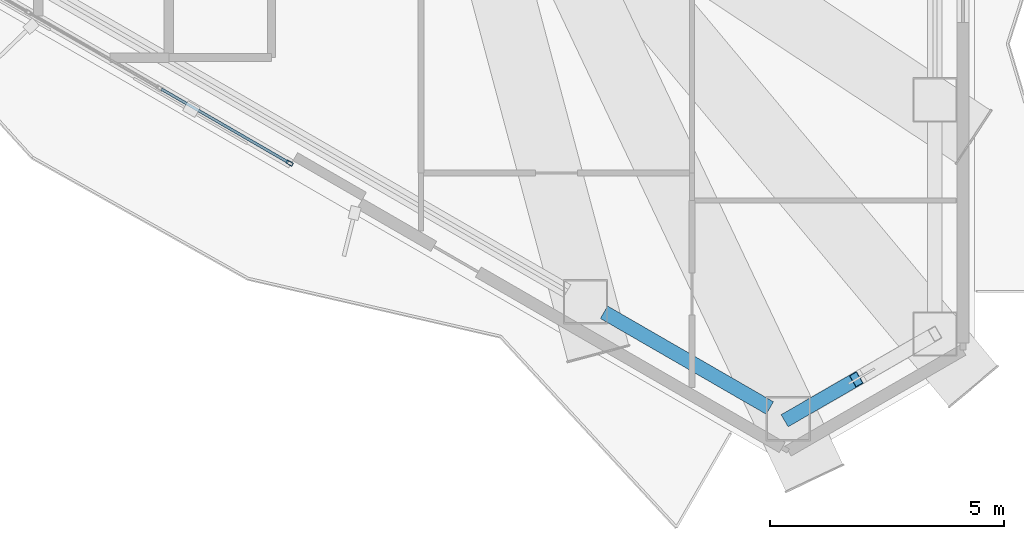
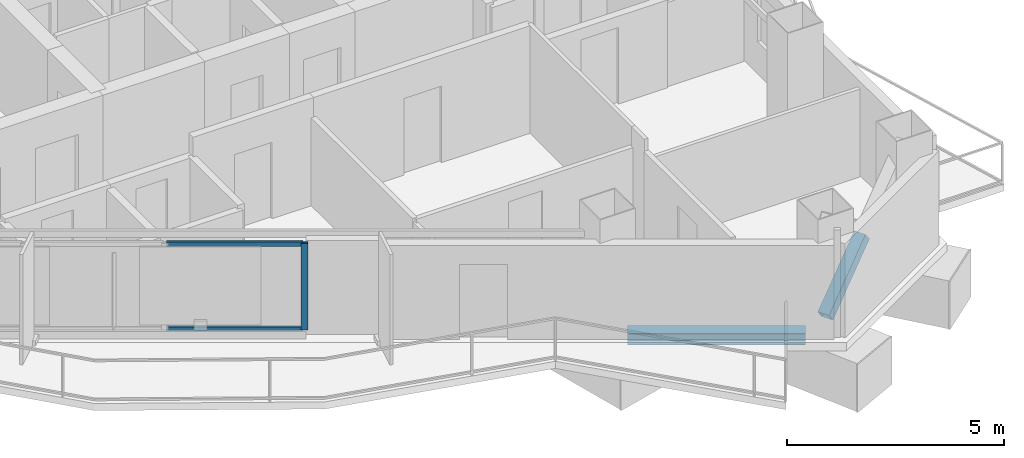
# One storey, part 4 of 22: 4 members, 1 beam, 1 element without a shape of its own.
"""IFC4 building model written with IfcOpenShell, lengths in metres."""

from ifc_helpers import new_model, si_unit, direction, frame, origin, origin_2d, place, context, subcontext, project, spatial, hollow_rectangle, i_section, extrude, material, layer, layer_set, material_profile, profile_set, type_object, element, aggregate, save


model = new_model("IFC4")

# Units and contexts
model_context = context("Model", 3, precision=1e-05, world=origin(), true_north=direction((0.0, 1.0)))
body_context = subcontext(model_context, "Body", "Model", "MODEL_VIEW")
ifc_project = project(units=[si_unit("LENGTHUNIT", "METRE"), si_unit("AREAUNIT", "SQUARE_METRE"), si_unit("VOLUMEUNIT", "CUBIC_METRE"), si_unit("PLANEANGLEUNIT", "RADIAN"), si_unit("MASSUNIT", "GRAM", prefix="KILO")], contexts=[model_context])

# Site, building, storey
site_placement = place(None, origin())
site = spatial("IfcSite", under=ifc_project, at=site_placement, CompositionType="ELEMENT")
building_placement = place(site_placement, origin())
building = spatial("IfcBuilding", under=site, at=building_placement, Name="Mersakhor Tower and Convention Hall", CompositionType="ELEMENT")
storey_placement = place(building_placement, frame((0.0, 0.0, 167.39990234375)))
storey = spatial("IfcBuildingStorey", under=building, at=storey_placement, Name="L46", CompositionType="ELEMENT", Elevation=167.39990234375)

# Beam
ifc_material_1 = material(Name="Steel S355", Category="steel")
ifc_material_profile_1 = material_profile(ifc_material_1, i_section(OverallWidth=0.30908203125, OverallDepth=0.320556640625, WebThickness=0.013916015625, FlangeThickness=0.021728515625, at=origin_2d()), Name="UC 305x305x137")
ifc_profile_set_1 = profile_set([ifc_material_profile_1], Name="Steel S355")
beam_type = type_object("IfcBeamType", Name="BM-SPD-UC305", PredefinedType="SPANDREL", material=ifc_profile_set_1)
beam_placement = place(storey_placement, frame((37.268310546875, 8.346435546875, -0.39013671875), z_axis=(-0.86602202897, 0.500005845305, 0.0), x_axis=(-0.500005845305, -0.86602202897, 0.0)))
element("IfcBeam", 1, at=beam_placement, inside=storey, type_object=beam_type, Name="L46 Perimeter Spandrel Beam SPB-09", PredefinedType="SPANDREL", context=body_context, shape_type="SweptSolid", body=[
    extrude(i_section(OverallWidth=0.30908203125, OverallDepth=0.320556640625, WebThickness=0.013916015625, FlangeThickness=0.021728515625, at=origin_2d()), origin(), (0.0, 0.0, 1.0), 4.1015625),
])

# Curtain wall, members
ifc_material_2 = material(Name="Dark solar low-E aluminium curtain wall", Category="aluminium")
ifc_layer = layer(ifc_material_2, 0.169921875)
ifc_layer_set = layer_set([ifc_layer], Name="Dark solar low-E aluminium curtain wall")
curtain_wall_type = type_object("IfcCurtainWallType", Name="CW-SYS-02", PredefinedType="USERDEFINED", material=ifc_layer_set)
curtain_wall_placement = place(storey_placement, origin())
curtain_wall = element("IfcCurtainWall", 2, at=curtain_wall_placement, inside=storey, type_object=curtain_wall_type, Name="L46 Dark-Glass Curtain Wall F3-B2", ObjectType="CURTAIN WALL", PredefinedType="USERDEFINED")
ifc_material_3 = material(Name="Anodised aluminium EN AW-6063 T6", Category="aluminium")
ifc_material_profile_2 = material_profile(ifc_material_3, hollow_rectangle(XDim=0.074951171875, YDim=0.14990234375, WallThickness=0.00634765625, at=origin_2d()), Name="RHS 150x75x6.3")
ifc_profile_set_2 = profile_set([ifc_material_profile_2], Name="Anodised aluminium EN AW-6063 T6")
member_type_1 = type_object("IfcMemberType", Name="CWM-150x75", PredefinedType="MULLION", material=ifc_profile_set_2)
member_1_placement = place(storey_placement, frame((26.984130859375, 13.591064453125, 0.2001953125), z_axis=(0.0, 0.0, 1.0), x_axis=(-0.499998484116, -0.866026278978, 0.0)))
member_1 = element("IfcMember", 3, at=member_1_placement, type_object=member_type_1, Name="CW-02 mullion 1", PredefinedType="MULLION", context=body_context, shape_type="SweptSolid", body=[
    extrude(hollow_rectangle(XDim=0.074951171875, YDim=0.14990234375, WallThickness=0.00634765625, at=origin_2d()), origin(), (0.0, 0.0, 1.0), 2.43994140625),
])
ifc_material_4 = material(Name="Anodised aluminium EN AW-6063 T6", Category="aluminium")
ifc_material_profile_3 = material_profile(ifc_material_4, hollow_rectangle(XDim=0.06005859375, YDim=0.1201171875, WallThickness=0.0048828125, at=origin_2d()), Name="RHS 120x60x5")
ifc_profile_set_3 = profile_set([ifc_material_profile_3], Name="Anodised aluminium EN AW-6063 T6")
member_type_2 = type_object("IfcMemberType", Name="CWT-120x60", PredefinedType="USERDEFINED", material=ifc_profile_set_3)
member_2_placement = place(storey_placement, frame((26.95166015625, 13.60986328125, 0.22998046875), z_axis=(-0.865996232657, 0.500050522472, 0.0), x_axis=(-0.500050522472, -0.865996232657, 0.0)))
member_2 = element("IfcMember", 4, at=member_2_placement, type_object=member_type_2, Name="CW-02 transom 1.1", ObjectType="TRANSOM", PredefinedType="USERDEFINED", context=body_context, shape_type="SweptSolid", body=[
    extrude(hollow_rectangle(XDim=0.06005859375, YDim=0.1201171875, WallThickness=0.0048828125, at=origin_2d()), origin(), (0.0, 0.0, 1.0), 3.135009765625),
])
member_3_placement = place(storey_placement, frame((26.95166015625, 13.60986328125, 2.610107421875), z_axis=(-0.865996232657, 0.500050522472, 0.0), x_axis=(-0.500050522472, -0.865996232657, 0.0)))
member_3 = element("IfcMember", 5, at=member_3_placement, type_object=member_type_2, Name="CW-02 transom 1.2", ObjectType="TRANSOM", PredefinedType="USERDEFINED", context=body_context, shape_type="SweptSolid", body=[
    extrude(hollow_rectangle(XDim=0.06005859375, YDim=0.1201171875, WallThickness=0.0048828125, at=origin_2d()), origin(), (0.0, 0.0, 1.0), 3.135009765625),
])
aggregate(curtain_wall, [member_1, member_2, member_3])

# Member
ifc_material_5 = material(Name="Steel S355", Category="steel")
ifc_material_profile_4 = material_profile(ifc_material_5, hollow_rectangle(XDim=0.300048828125, YDim=0.300048828125, WallThickness=0.01611328125, at=origin_2d()), Name="SHS 300x300x16")
ifc_profile_set_4 = profile_set([ifc_material_profile_4], Name="Steel S355")
member_type_3 = type_object("IfcMemberType", Name="MB-BRC-SHS300", PredefinedType="BRACE", material=ifc_profile_set_4)
member_4_placement = place(storey_placement, frame((37.662353515625, 8.118896484375, 0.150146484375), z_axis=(0.692817403109, 0.400108726515, 0.599930873448), x_axis=(-0.500103501282, 0.865965639045, 0.0)))
element("IfcMember", 6, at=member_4_placement, inside=storey, type_object=member_type_3, Name="L46 Chamfer Braced Frame Diagonal CB-2B Lower Half", PredefinedType="BRACE", context=body_context, shape_type="SweptSolid", body=[
    extrude(hollow_rectangle(XDim=0.300048828125, YDim=0.300048828125, WallThickness=0.01611328125, at=origin_2d()), origin(), (0.0, 0.0, 1.0), 2.102783203125),
])

save(model, "model.ifc")
